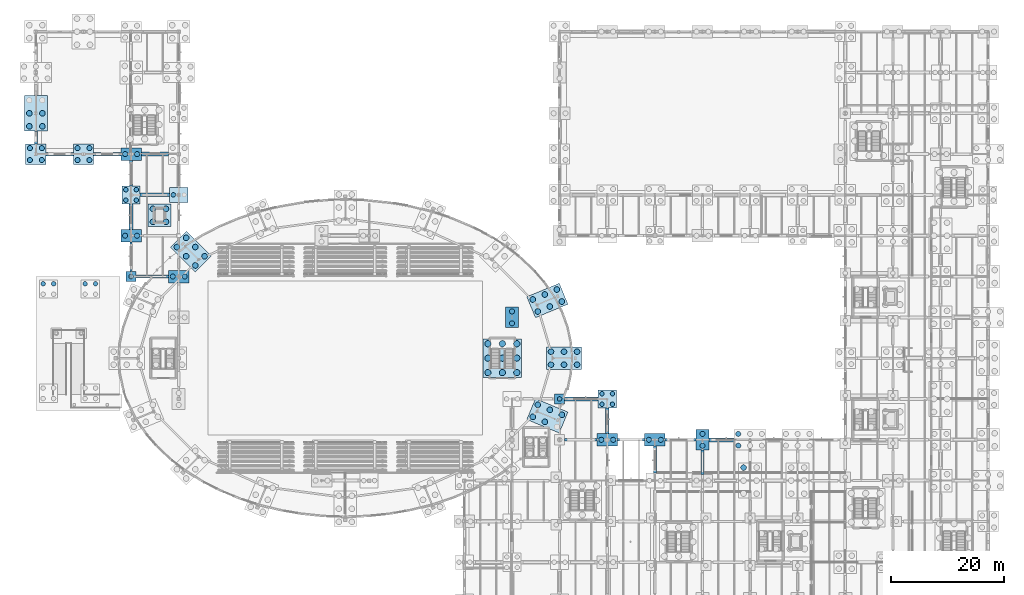
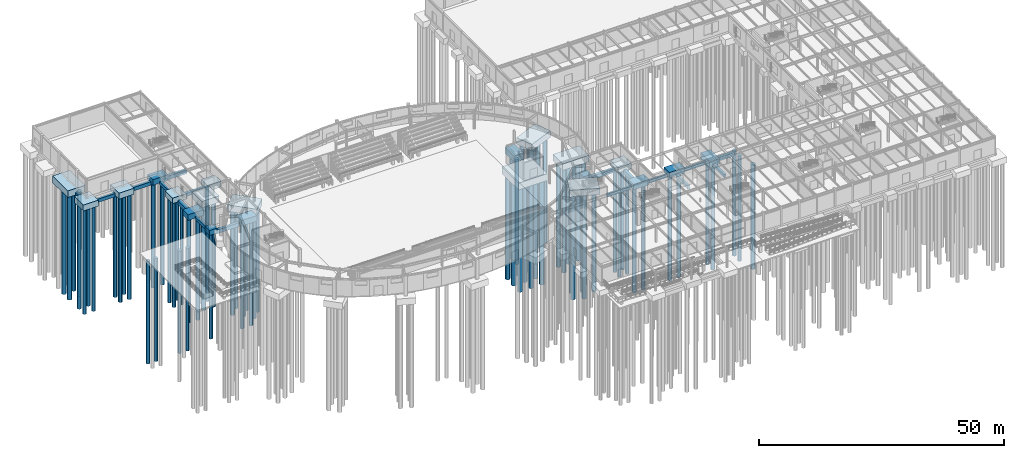
# One storey, part 3 of 93: 80 piles, 38 footings.
"""IFC4 building model written with IfcOpenShell, lengths in metres."""

from ifc_helpers import new_model, si_unit, derived_unit, direction, frame, origin, origin_2d, place, context, subcontext, project, spatial, rectangle, circle, extrude, material, material_profile, profile_set, type_object, element, save


model = new_model("IFC4")

# Units and contexts
model_context = context("Model", 3, precision=1e-05, world=origin(), true_north=direction((0.0, 1.0)))
body_context = subcontext(model_context, "Body", "Model", "MODEL_VIEW")
ifc_project = project(units=[si_unit("LENGTHUNIT", "METRE"), si_unit("AREAUNIT", "SQUARE_METRE"), si_unit("VOLUMEUNIT", "CUBIC_METRE"), si_unit("PLANEANGLEUNIT", "RADIAN"), si_unit("MASSUNIT", "GRAM", prefix="KILO"), derived_unit("THERMALTRANSMITTANCEUNIT", [(si_unit("MASSUNIT", "GRAM", prefix="KILO"), 1), (si_unit("TIMEUNIT", "SECOND"), -3), (si_unit("THERMODYNAMICTEMPERATUREUNIT", "KELVIN"), -1)])], contexts=[model_context])

# Site, building, storey
site_placement = place(None, origin())
site = spatial("IfcSite", under=ifc_project, at=site_placement, CompositionType="ELEMENT")
building_placement = place(site_placement, origin())
building = spatial("IfcBuilding", under=site, at=building_placement, Name="Kharveza Railside Sports Centre", CompositionType="ELEMENT")
storey_placement = place(building_placement, origin())
storey = spatial("IfcBuildingStorey", under=building, at=storey_placement, Name="L00", CompositionType="ELEMENT", Elevation=0.0)

# Footings
ifc_material = material(Name="Concrete C35/45", Category="concrete")
ifc_material_profile_1 = material_profile(ifc_material, rectangle(XDim=0.60009765625, YDim=0.800048828125, at=origin_2d()), Name="GB 600x800")
ifc_profile_set_1 = profile_set([ifc_material_profile_1], Name="Concrete C35/45")
footing_type_1 = type_object("IfcFootingType", Name="FT-GB01", PredefinedType="FOOTING_BEAM", material=ifc_profile_set_1)
footing_1_placement = place(storey_placement, frame((1.802978515625, 86.39990234375, -1.800048828125), z_axis=(1.0, 0.0, 0.0), x_axis=(0.0, 1.0, 0.0)))
element("IfcFooting", 1, at=footing_1_placement, inside=storey, type_object=footing_type_1, Name="GB-EW-001", PredefinedType="FOOTING_BEAM", context=body_context, shape_type="SweptSolid", body=[
    extrude(rectangle(XDim=0.60009765625, YDim=0.800048828125, at=origin_2d()), origin(), (0.0, 0.0, 1.0), 4.7939453125),
])
footing_2_placement = place(storey_placement, frame((18.403076171875, 79.199951171875, -1.800048828125), z_axis=(1.0, 0.0, 0.0), x_axis=(0.0, 1.0, 0.0)))
element("IfcFooting", 2, at=footing_2_placement, inside=storey, type_object=footing_type_1, Name="GB-EW-011", PredefinedType="FOOTING_BEAM", context=body_context, shape_type="SweptSolid", body=[
    extrude(rectangle(XDim=0.60009765625, YDim=0.800048828125, at=origin_2d()), origin(), (0.0, 0.0, 1.0), 5.19384765625),
])
ifc_material_profile_2 = material_profile(ifc_material, rectangle(XDim=0.5, YDim=0.75, at=origin_2d()), Name="GB 500x750")
ifc_profile_set_2 = profile_set([ifc_material_profile_2], Name="Concrete C35/45")
footing_type_2 = type_object("IfcFootingType", Name="FT-GB02", PredefinedType="FOOTING_BEAM", material=ifc_profile_set_2)
footing_3_placement = place(storey_placement, frame((0.0, 88.202880859375, -1.77490234375), z_axis=(0.0, 1.0, 0.0), x_axis=(-1.0, 0.0, 0.0)))
element("IfcFooting", 3, at=footing_3_placement, inside=storey, type_object=footing_type_2, Name="GB-NS-002", PredefinedType="FOOTING_BEAM", context=body_context, shape_type="SweptSolid", body=[
    extrude(rectangle(XDim=0.5, YDim=0.75, at=origin_2d()), origin(), (0.0, 0.0, 1.0), 2.294189453125),
])
footing_4_placement = place(storey_placement, frame((16.800048828125, 80.802978515625, -1.77490234375), z_axis=(0.0, 1.0, 0.0), x_axis=(-1.0, 0.0, 0.0)))
element("IfcFooting", 4, at=footing_4_placement, inside=storey, type_object=footing_type_2, Name="GB-NS-012", PredefinedType="FOOTING_BEAM", context=body_context, shape_type="SweptSolid", body=[
    extrude(rectangle(XDim=0.5, YDim=0.75, at=origin_2d()), origin(), (0.0, 0.0, 1.0), 4.494140625),
])
footing_5_placement = place(storey_placement, frame((93.302978515625, 36.0, -1.77490234375), z_axis=(1.0, 0.0, 0.0), x_axis=(0.0, 1.0, 0.0)))
element("IfcFooting", 5, at=footing_5_placement, inside=storey, type_object=footing_type_2, Name="GB-EW-042", PredefinedType="FOOTING_BEAM", context=body_context, shape_type="SweptSolid", body=[
    extrude(rectangle(XDim=0.5, YDim=0.75, at=origin_2d()), origin(), (0.0, 0.0, 1.0), 5.694091796875),
])
footing_6_placement = place(storey_placement, frame((117.60009765625, 29.903076171875, -1.77490234375), z_axis=(0.0, 1.0, 0.0), x_axis=(-1.0, 0.0, 0.0)))
element("IfcFooting", 6, at=footing_6_placement, inside=storey, type_object=footing_type_2, Name="GB-NS-072", PredefinedType="FOOTING_BEAM", context=body_context, shape_type="SweptSolid", body=[
    extrude(rectangle(XDim=0.5, YDim=0.75, at=origin_2d()), origin(), (0.0, 0.0, 1.0), 4.26904296875),
])
ifc_material_profile_3 = material_profile(ifc_material, rectangle(XDim=0.699951171875, YDim=0.89990234375, at=origin_2d()), Name="GB 700x900")
ifc_profile_set_3 = profile_set([ifc_material_profile_3], Name="Concrete C35/45")
footing_type_3 = type_object("IfcFootingType", Name="FT-GB03", PredefinedType="FOOTING_BEAM", material=ifc_profile_set_3)
footing_7_placement = place(storey_placement, frame((18.60302734375, 86.39990234375, -1.85009765625), z_axis=(1.0, 0.0, 0.0), x_axis=(0.0, 1.0, 0.0)))
element("IfcFooting", 7, at=footing_7_placement, inside=storey, type_object=footing_type_3, Name="GB-EW-013", PredefinedType="FOOTING_BEAM", context=body_context, shape_type="SweptSolid", body=[
    extrude(rectangle(XDim=0.699951171875, YDim=0.89990234375, at=origin_2d()), origin(), (0.0, 0.0, 1.0), 4.7939453125),
])
footing_8_placement = place(storey_placement, frame((93.302978515625, 43.199951171875, -1.85009765625), z_axis=(1.0, 0.0, 0.0), x_axis=(0.0, 1.0, 0.0)))
element("IfcFooting", 8, at=footing_8_placement, inside=storey, type_object=footing_type_3, Name="GB-EW-043", PredefinedType="FOOTING_BEAM", context=body_context, shape_type="SweptSolid", body=[
    extrude(rectangle(XDim=0.699951171875, YDim=0.89990234375, at=origin_2d()), origin(), (0.0, 0.0, 1.0), 5.89404296875),
])
footing_9_placement = place(storey_placement, frame((118.7529296875, 36.0, -1.85009765625), z_axis=(1.0, 0.0, 0.0), x_axis=(0.0, 1.0, 0.0)))
element("IfcFooting", 9, at=footing_9_placement, inside=storey, type_object=footing_type_3, Name="GB-EW-073", PredefinedType="FOOTING_BEAM", context=body_context, shape_type="SweptSolid", body=[
    extrude(rectangle(XDim=0.699951171875, YDim=0.89990234375, at=origin_2d()), origin(), (0.0, 0.0, 1.0), 4.444091796875),
])
ifc_material_profile_4 = material_profile(ifc_material, rectangle(XDim=0.550048828125, YDim=0.85009765625, at=origin_2d()), Name="GB 550x850")
ifc_profile_set_4 = profile_set([ifc_material_profile_4], Name="Concrete C35/45")
footing_type_4 = type_object("IfcFootingType", Name="FT-GB04", PredefinedType="FOOTING_BEAM", material=ifc_profile_set_4)
footing_10_placement = place(storey_placement, frame((109.199951171875, 30.10302734375, -1.824951171875), z_axis=(0.0, 1.0, 0.0), x_axis=(-1.0, 0.0, 0.0)))
element("IfcFooting", 10, at=footing_10_placement, inside=storey, type_object=footing_type_4, Name="GB-NS-064", PredefinedType="FOOTING_BEAM", context=body_context, shape_type="SweptSolid", body=[
    extrude(rectangle(XDim=0.550048828125, YDim=0.85009765625, at=origin_2d()), origin(), (0.0, 0.0, 1.0), 4.7939453125),
])
ifc_material_profile_5 = material_profile(ifc_material, rectangle(XDim=0.449951171875, YDim=0.699951171875, at=origin_2d()), Name="GB 450x700")
ifc_profile_set_5 = profile_set([ifc_material_profile_5], Name="Concrete C35/45")
footing_type_5 = type_object("IfcFootingType", Name="FT-GB05", PredefinedType="FOOTING_BEAM", material=ifc_profile_set_5)
footing_11_placement = place(storey_placement, frame((102.60302734375, 36.0, -1.75), z_axis=(1.0, 0.0, 0.0), x_axis=(0.0, 1.0, 0.0)))
element("IfcFooting", 11, at=footing_11_placement, inside=storey, type_object=footing_type_5, Name="GB-EW-055", PredefinedType="FOOTING_BEAM", context=body_context, shape_type="SweptSolid", body=[
    extrude(rectangle(XDim=0.449951171875, YDim=0.699951171875, at=origin_2d()), origin(), (0.0, 0.0, 1.0), 4.7939453125),
])
footing_12_placement = place(storey_placement, frame((111.0029296875, 36.0, -1.75), z_axis=(1.0, 0.0, 0.0), x_axis=(0.0, 1.0, 0.0)))
element("IfcFooting", 12, at=footing_12_placement, inside=storey, type_object=footing_type_5, Name="GB-EW-065", PredefinedType="FOOTING_BEAM", context=body_context, shape_type="SweptSolid", body=[
    extrude(rectangle(XDim=0.449951171875, YDim=0.699951171875, at=origin_2d()), origin(), (0.0, 0.0, 1.0), 5.444091796875),
])
ifc_material_profile_6 = material_profile(ifc_material, rectangle(XDim=0.64990234375, YDim=0.85009765625, at=origin_2d()), Name="GB 650x850")
ifc_profile_set_6 = profile_set([ifc_material_profile_6], Name="Concrete C35/45")
footing_type_6 = type_object("IfcFootingType", Name="FT-GB06", PredefinedType="FOOTING_BEAM", material=ifc_profile_set_6)
footing_13_placement = place(storey_placement, frame((10.202880859375, 86.39990234375, -1.824951171875), z_axis=(1.0, 0.0, 0.0), x_axis=(0.0, 1.0, 0.0)))
element("IfcFooting", 13, at=footing_13_placement, inside=storey, type_object=footing_type_6, Name="GB-EW-006", PredefinedType="FOOTING_BEAM", context=body_context, shape_type="SweptSolid", body=[
    extrude(rectangle(XDim=0.64990234375, YDim=0.85009765625, at=origin_2d()), origin(), (0.0, 0.0, 1.0), 4.794189453125),
])
footing_14_placement = place(storey_placement, frame((100.800048828125, 37.10302734375, -1.824951171875), z_axis=(0.0, 1.0, 0.0), x_axis=(-1.0, 0.0, 0.0)))
element("IfcFooting", 14, at=footing_14_placement, inside=storey, type_object=footing_type_6, Name="GB-NS-056", PredefinedType="FOOTING_BEAM", context=body_context, shape_type="SweptSolid", body=[
    extrude(rectangle(XDim=0.64990234375, YDim=0.85009765625, at=origin_2d()), origin(), (0.0, 0.0, 1.0), 4.493896484375),
])
ifc_material_profile_7 = material_profile(ifc_material, rectangle(XDim=0.60009765625, YDim=0.949951171875, at=origin_2d()), Name="GB 600x950")
ifc_profile_set_7 = profile_set([ifc_material_profile_7], Name="Concrete C35/45")
footing_type_7 = type_object("IfcFootingType", Name="FT-GB08", PredefinedType="FOOTING_BEAM", material=ifc_profile_set_7)
footing_15_placement = place(storey_placement, frame((17.702880859375, 64.800048828125, -1.875), z_axis=(1.0, 0.0, 0.0), x_axis=(0.0, 1.0, 0.0)))
element("IfcFooting", 15, at=footing_15_placement, inside=storey, type_object=footing_type_7, Name="GB-EW-008", PredefinedType="FOOTING_BEAM", context=body_context, shape_type="SweptSolid", body=[
    extrude(rectangle(XDim=0.60009765625, YDim=0.949951171875, at=origin_2d()), origin(), (0.0, 0.0, 1.0), 5.694091796875),
])
ifc_material_profile_8 = material_profile(ifc_material, rectangle(XDim=0.39990234375, YDim=0.64990234375, at=origin_2d()), Name="GB 400x650")
ifc_profile_set_8 = profile_set([ifc_material_profile_8], Name="Concrete C35/45")
footing_type_8 = type_object("IfcFootingType", Name="FT-GB09", PredefinedType="FOOTING_BEAM", material=ifc_profile_set_8)
footing_16_placement = place(storey_placement, frame((16.800048828125, 65.702880859375, -1.72509765625), z_axis=(0.0, 1.0, 0.0), x_axis=(-1.0, 0.0, 0.0)))
element("IfcFooting", 16, at=footing_16_placement, inside=storey, type_object=footing_type_8, Name="GB-NS-009", PredefinedType="FOOTING_BEAM", context=body_context, shape_type="SweptSolid", body=[
    extrude(rectangle(XDim=0.39990234375, YDim=0.64990234375, at=origin_2d()), origin(), (0.0, 0.0, 1.0), 5.194091796875),
])
ifc_material_profile_9 = material_profile(ifc_material, rectangle(XDim=0.75, YDim=1.0, at=origin_2d()), Name="GB 750x1000")
ifc_profile_set_9 = profile_set([ifc_material_profile_9], Name="Concrete C35/45")
footing_type_9 = type_object("IfcFootingType", Name="FT-GB10", PredefinedType="FOOTING_BEAM", material=ifc_profile_set_9)
footing_17_placement = place(storey_placement, frame((16.800048828125, 73.10302734375, -1.89990234375), z_axis=(0.0, 1.0, 0.0), x_axis=(-1.0, 0.0, 0.0)))
element("IfcFooting", 17, at=footing_17_placement, inside=storey, type_object=footing_type_9, Name="GB-NS-010", PredefinedType="FOOTING_BEAM", context=body_context, shape_type="SweptSolid", body=[
    extrude(rectangle(XDim=0.75, YDim=1.0, at=origin_2d()), origin(), (0.0, 0.0, 1.0), 4.493896484375),
])
footing_type_10 = type_object("IfcFootingType", Name="FT-PC01", PredefinedType="PILE_CAP", material=ifc_material)
footing_18_placement = place(storey_placement, frame((25.199951171875, 79.199951171875, -1.820068359375), z_axis=(0.0, 0.0, 1.0), x_axis=(1.0, 0.0, 0.0)))
element("IfcFooting", 18, at=footing_18_placement, inside=storey, type_object=footing_type_10, Name="FCAP-GRD-016", PredefinedType="PILE_CAP", context=body_context, shape_type="SweptSolid", body=[
    extrude(rectangle(XDim=3.199951171875, YDim=2.60009765625, at=origin_2d()), origin(), (0.0, 0.0, 1.0), 1.39990234375),
])
footing_type_11 = type_object("IfcFootingType", Name="FT-PC02", PredefinedType="PILE_CAP", material=ifc_material)
for number, where, z_axis, x_axis, name in (
    (19, (16.800048828125, 72.0, -1.820068359375), (0.0, 0.0, 1.0), (1.0, 0.0, 0.0), "FCAP-GRD-008"),
    (20, (16.800048828125, 86.39990234375, -1.820068359375), (0.0, 0.0, 1.0), (1.0, 0.0, 0.0), "FCAP-GRD-010"),
    (21, (25.199951171875, 64.800048828125, -1.820068359375), (0.0, 0.0, 1.0), (1.0, 0.0, 0.0), "FCAP-GRD-014"),
    (22, (100.800048828125, 36.0, -1.820068359375), (0.0, 0.0, 1.0), (1.0, 0.0, 0.0), "FCAP-GRD-050"),
    (23, (109.199951171875, 36.0, -1.820068359375), (0.0, 0.0, 1.0), (1.0, 0.0, 0.0), "FCAP-GRD-059"),
):
    element("IfcFooting", number, at=place(storey_placement, frame(where, z_axis=z_axis, x_axis=x_axis)), inside=storey, type_object=footing_type_11, Name=name, PredefinedType="PILE_CAP", context=body_context, shape_type="SweptSolid", body=[
        extrude(rectangle(XDim=3.60009765625, YDim=2.199951171875, at=origin_2d()), origin(), (0.0, 0.0, 1.0), 1.39990234375),
    ])
footing_type_12 = type_object("IfcFootingType", Name="FT-PC03", PredefinedType="PILE_CAP", material=ifc_material)
for number, where, z_axis, x_axis, name in (
    (24, (84.0, 57.60009765625, -1.8701171875), (0.0, 0.0, 1.0), (1.0, 0.0, 0.0), "FCAP-BOWL-08"),
    (25, (117.60009765625, 36.0, -1.8701171875), (0.0, 0.0, 1.0), (1.0, 0.0, 0.0), "FCAP-GRD-067"),
):
    element("IfcFooting", number, at=place(storey_placement, frame(where, z_axis=z_axis, x_axis=x_axis)), inside=storey, type_object=footing_type_12, Name=name, PredefinedType="PILE_CAP", context=body_context, shape_type="SweptSolid", body=[
        extrude(rectangle(XDim=2.300048828125, YDim=3.64990234375, at=origin_2d()), origin(), (0.0, 0.0, 1.0), 1.449951171875),
    ])
footing_type_13 = type_object("IfcFootingType", Name="FT-PC04", PredefinedType="PILE_CAP", material=ifc_material)
for number, where, z_axis, x_axis, name in (
    (26, (0.0, 86.39990234375, -1.919921875), (0.0, 0.0, 1.0), (1.0, 0.0, 0.0), "FCAP-GRD-001"),
    (27, (8.39990234375, 86.39990234375, -1.919921875), (0.0, 0.0, 1.0), (1.0, 0.0, 0.0), "FCAP-GRD-005"),
):
    element("IfcFooting", number, at=place(storey_placement, frame(where, z_axis=z_axis, x_axis=x_axis)), inside=storey, type_object=footing_type_13, Name=name, PredefinedType="PILE_CAP", context=body_context, shape_type="SweptSolid", body=[
        extrude(rectangle(XDim=3.60009765625, YDim=3.60009765625, at=origin_2d()), origin(), (0.0, 0.0, 1.0), 1.5),
    ])
footing_type_14 = type_object("IfcFootingType", Name="FT-PC05", PredefinedType="PILE_CAP", material=ifc_material)
footing_19_placement = place(storey_placement, frame((21.800048828125, 75.60009765625, -2.02001953125), z_axis=(0.0, 0.0, 1.0), x_axis=(1.0, 0.0, 0.0)))
element("IfcFooting", 28, at=footing_19_placement, inside=storey, type_object=footing_type_14, Name="FCAP-LF4", PredefinedType="PILE_CAP", context=body_context, shape_type="SweptSolid", body=[
    extrude(rectangle(XDim=4.0, YDim=4.0, at=origin_2d()), origin(), (0.0, 0.0, 1.0), 1.60009765625),
])
footing_type_15 = type_object("IfcFootingType", Name="FT-PC06", PredefinedType="PILE_CAP", material=ifc_material)
for number, where, z_axis, x_axis, name in (
    (29, (93.175048828125, 50.39990234375, -2.02001953125), (0.0, 0.0, 1.0), (1.0, 0.0, 0.0), "FCAP-DRUM-01"),
    (30, (90.23876953125, 60.56982421875, -2.02001953125), (0.0, 0.0, 1.0), (0.923879532511, 0.382683432365, 0.0), "FCAP-DRUM-02"),
    (31, (27.3232421875, 69.19140625, -2.02001953125), (0.0, 0.0, 1.0), (-0.707106781187, 0.707106781187, 0.0), "FCAP-DRUM-07"),
    (32, (90.23876953125, 40.230224609375, -2.02001953125), (0.0, 0.0, 1.0), (0.923879532511, -0.382683432365, 0.0), "FCAP-DRUM-16"),
):
    element("IfcFooting", number, at=place(storey_placement, frame(where, z_axis=z_axis, x_axis=x_axis)), inside=storey, type_object=footing_type_15, Name=name, PredefinedType="PILE_CAP", context=body_context, shape_type="SweptSolid", body=[
        extrude(rectangle(XDim=6.199951171875, YDim=4.0, at=origin_2d()), origin(), (0.0, 0.0, 1.0), 1.60009765625),
    ])
footing_type_16 = type_object("IfcFootingType", Name="FT-PC07", PredefinedType="PILE_CAP", material=ifc_material)
footing_20_placement = place(storey_placement, frame((0.0, 93.60009765625, -2.070068359375), z_axis=(0.0, 0.0, 1.0), x_axis=(1.0, 0.0, 0.0)))
element("IfcFooting", 33, at=footing_20_placement, inside=storey, type_object=footing_type_16, Name="FCAP-GRD-002", PredefinedType="PILE_CAP", context=body_context, shape_type="SweptSolid", body=[
    extrude(rectangle(XDim=4.050048828125, YDim=6.199951171875, at=origin_2d()), origin(), (0.0, 0.0, 1.0), 1.64990234375),
])
footing_type_17 = type_object("IfcFootingType", Name="FT-PC08", PredefinedType="PILE_CAP", material=ifc_material)
footing_21_placement = place(storey_placement, frame((82.300048828125, 50.39990234375, -2.1201171875), z_axis=(0.0, 0.0, 1.0), x_axis=(1.0, 0.0, 0.0)))
element("IfcFooting", 34, at=footing_21_placement, inside=storey, type_object=footing_type_17, Name="FCAP-CORE-08", PredefinedType="PILE_CAP", context=body_context, shape_type="SweptSolid", body=[
    extrude(rectangle(XDim=6.800048828125, YDim=6.800048828125, at=origin_2d()), origin(), (0.0, 0.0, 1.0), 1.699951171875),
])
footing_type_18 = type_object("IfcFootingType", Name="FT-PC10", PredefinedType="PILE_CAP", material=ifc_material)
for number, where, z_axis, x_axis, name in (
    (35, (16.800048828125, 79.199951171875, -1.77001953125), (0.0, 0.0, 1.0), (1.0, 0.0, 0.0), "FCAP-GRD-009"),
    (36, (100.800048828125, 43.199951171875, -1.77001953125), (0.0, 0.0, 1.0), (1.0, 0.0, 0.0), "FCAP-GRD-051"),
):
    element("IfcFooting", number, at=place(storey_placement, frame(where, z_axis=z_axis, x_axis=x_axis)), inside=storey, type_object=footing_type_18, Name=name, PredefinedType="PILE_CAP", context=body_context, shape_type="SweptSolid", body=[
        extrude(rectangle(XDim=3.199951171875, YDim=3.199951171875, at=origin_2d()), origin(), (0.0, 0.0, 1.0), 1.35009765625),
    ])
footing_type_19 = type_object("IfcFootingType", Name="FT-PC13", PredefinedType="PILE_CAP", material=ifc_material)
for number, where, z_axis, x_axis, name in (
    (37, (16.800048828125, 64.800048828125, -1.669921875), (0.0, 0.0, 1.0), (1.0, 0.0, 0.0), "FCAP-GRD-007"),
    (38, (92.39990234375, 43.199951171875, -1.669921875), (0.0, 0.0, 1.0), (1.0, 0.0, 0.0), "FCAP-GRD-038"),
):
    element("IfcFooting", number, at=place(storey_placement, frame(where, z_axis=z_axis, x_axis=x_axis)), inside=storey, type_object=footing_type_19, Name=name, PredefinedType="PILE_CAP", context=body_context, shape_type="SweptSolid", body=[
        extrude(rectangle(XDim=1.800048828125, YDim=1.800048828125, at=origin_2d()), origin(), (0.0, 0.0, 1.0), 1.25),
    ])

# Piles
ifc_material_profile_10 = material_profile(ifc_material, circle(Radius=0.5, at=origin_2d()), Name="PILE D1000")
ifc_profile_set_10 = profile_set([ifc_material_profile_10], Name="Concrete C35/45")
pile_type_1 = type_object("IfcPileType", Name="PL-B1000", PredefinedType="BORED", material=ifc_profile_set_10)
for number, where, z_axis, x_axis, name in (
    (39, (90.875, 49.25, -1.919921875), (0.0, 0.0, -1.0), (1.0, 0.0, 0.0), "FCAP-DRUM-01-P02-PL1"),
    (40, (93.175048828125, 49.25, -1.919921875), (0.0, 0.0, -1.0), (1.0, 0.0, 0.0), "FCAP-DRUM-01-P02-PL2"),
    (41, (95.47509765625, 49.25, -1.919921875), (0.0, 0.0, -1.0), (1.0, 0.0, 0.0), "FCAP-DRUM-01-P02-PL3"),
    (42, (90.875, 51.550048828125, -1.919921875), (0.0, 0.0, -1.0), (1.0, 0.0, 0.0), "FCAP-DRUM-01-P02-PL4"),
    (43, (93.175048828125, 51.550048828125, -1.919921875), (0.0, 0.0, -1.0), (1.0, 0.0, 0.0), "FCAP-DRUM-01-P02-PL5"),
    (44, (95.47509765625, 51.550048828125, -1.919921875), (0.0, 0.0, -1.0), (1.0, 0.0, 0.0), "FCAP-DRUM-01-P02-PL6"),
    (45, (88.553955078125, 58.627197265625, -1.919921875), (0.0, 0.0, -1.0), (1.0, 0.0, 0.0), "FCAP-DRUM-02-P02-PL1"),
    (46, (90.6787109375, 59.50732421875, -1.919921875), (0.0, 0.0, -1.0), (1.0, 0.0, 0.0), "FCAP-DRUM-02-P02-PL2"),
    (47, (92.8037109375, 60.387451171875, -1.919921875), (0.0, 0.0, -1.0), (1.0, 0.0, 0.0), "FCAP-DRUM-02-P02-PL3"),
    (48, (87.673583984375, 60.752197265625, -1.919921875), (0.0, 0.0, -1.0), (1.0, 0.0, 0.0), "FCAP-DRUM-02-P02-PL4"),
    (49, (89.798583984375, 61.63232421875, -1.919921875), (0.0, 0.0, -1.0), (1.0, 0.0, 0.0), "FCAP-DRUM-02-P02-PL5"),
    (50, (91.923583984375, 62.512451171875, -1.919921875), (0.0, 0.0, -1.0), (1.0, 0.0, 0.0), "FCAP-DRUM-02-P02-PL6"),
    (51, (29.7626953125, 68.378173828125, -1.919921875), (0.0, 0.0, -1.0), (1.0, 0.0, 0.0), "FCAP-DRUM-07-P02-PL1"),
    (52, (28.136474609375, 70.00439453125, -1.919921875), (0.0, 0.0, -1.0), (1.0, 0.0, 0.0), "FCAP-DRUM-07-P02-PL2"),
    (53, (26.510009765625, 71.630859375, -1.919921875), (0.0, 0.0, -1.0), (1.0, 0.0, 0.0), "FCAP-DRUM-07-P02-PL3"),
    (54, (28.136474609375, 66.751708984375, -1.919921875), (0.0, 0.0, -1.0), (1.0, 0.0, 0.0), "FCAP-DRUM-07-P02-PL4"),
    (55, (26.510009765625, 68.378173828125, -1.919921875), (0.0, 0.0, -1.0), (1.0, 0.0, 0.0), "FCAP-DRUM-07-P02-PL5"),
    (56, (24.8837890625, 70.00439453125, -1.919921875), (0.0, 0.0, -1.0), (1.0, 0.0, 0.0), "FCAP-DRUM-07-P02-PL6"),
    (57, (87.673583984375, 40.0478515625, -1.919921875), (0.0, 0.0, -1.0), (1.0, 0.0, 0.0), "FCAP-DRUM-16-P02-PL1"),
    (58, (89.798583984375, 39.167724609375, -1.919921875), (0.0, 0.0, -1.0), (1.0, 0.0, 0.0), "FCAP-DRUM-16-P02-PL2"),
    (59, (88.553955078125, 42.1728515625, -1.919921875), (0.0, 0.0, -1.0), (1.0, 0.0, 0.0), "FCAP-DRUM-16-P02-PL4"),
    (60, (90.6787109375, 41.292724609375, -1.919921875), (0.0, 0.0, -1.0), (1.0, 0.0, 0.0), "FCAP-DRUM-16-P02-PL5"),
    (61, (92.8037109375, 40.41259765625, -1.919921875), (0.0, 0.0, -1.0), (1.0, 0.0, 0.0), "FCAP-DRUM-16-P02-PL6"),
    (62, (20.64990234375, 74.449951171875, -1.919921875), (0.0, 0.0, -1.0), (1.0, 0.0, 0.0), "FCAP-LF4-P02-PL1"),
    (63, (22.949951171875, 74.449951171875, -1.919921875), (0.0, 0.0, -1.0), (1.0, 0.0, 0.0), "FCAP-LF4-P02-PL2"),
    (64, (20.64990234375, 76.75, -1.919921875), (0.0, 0.0, -1.0), (1.0, 0.0, 0.0), "FCAP-LF4-P02-PL3"),
    (65, (22.949951171875, 76.75, -1.919921875), (0.0, 0.0, -1.0), (1.0, 0.0, 0.0), "FCAP-LF4-P02-PL4"),
):
    element("IfcPile", number, at=place(storey_placement, frame(where, z_axis=z_axis, x_axis=x_axis)), inside=storey, type_object=pile_type_1, Name=name, PredefinedType="BORED", context=body_context, shape_type="SweptSolid", body=[
        extrude(circle(Radius=0.5, at=origin_2d()), origin(), (0.0, 0.0, 1.0), 26.080078125),
    ])
for number, where, z_axis, x_axis, name in (
    (66, (-1.14990234375, 91.300048828125, -1.969970703125), (0.0, 0.0, -1.0), (1.0, 0.0, 0.0), "FCAP-GRD-002-P02-PL1"),
    (67, (1.14990234375, 91.300048828125, -1.969970703125), (0.0, 0.0, -1.0), (1.0, 0.0, 0.0), "FCAP-GRD-002-P02-PL2"),
    (68, (-1.14990234375, 93.60009765625, -1.969970703125), (0.0, 0.0, -1.0), (1.0, 0.0, 0.0), "FCAP-GRD-002-P02-PL3"),
    (69, (1.14990234375, 93.60009765625, -1.969970703125), (0.0, 0.0, -1.0), (1.0, 0.0, 0.0), "FCAP-GRD-002-P02-PL4"),
    (70, (124.85009765625, 31.10009765625, -1.969970703125), (0.0, 0.0, -1.0), (1.0, 0.0, 0.0), "FCAP-GRD-074-P02-PL5"),
):
    element("IfcPile", number, at=place(storey_placement, frame(where, z_axis=z_axis, x_axis=x_axis)), inside=storey, type_object=pile_type_1, Name=name, PredefinedType="BORED", context=body_context, shape_type="SweptSolid", body=[
        extrude(circle(Radius=0.5, at=origin_2d()), origin(), (0.0, 0.0, 1.0), 26.030029296875),
    ])
ifc_material_profile_11 = material_profile(ifc_material, circle(Radius=0.550048828125, at=origin_2d()), Name="PILE D1100")
ifc_profile_set_11 = profile_set([ifc_material_profile_11], Name="Concrete C35/45")
pile_type_2 = type_object("IfcPileType", Name="PL-B1100", PredefinedType="BORED", material=ifc_profile_set_11)
for number, where, z_axis, x_axis, name in (
    (71, (79.75, 47.85009765625, -2.02001953125), (0.0, 0.0, -1.0), (1.0, 0.0, 0.0), "FCAP-CORE-08-P03-PL1"),
    (72, (82.300048828125, 47.85009765625, -2.02001953125), (0.0, 0.0, -1.0), (1.0, 0.0, 0.0), "FCAP-CORE-08-P03-PL2"),
    (73, (84.85009765625, 47.85009765625, -2.02001953125), (0.0, 0.0, -1.0), (1.0, 0.0, 0.0), "FCAP-CORE-08-P03-PL3"),
    (74, (79.75, 50.39990234375, -2.02001953125), (0.0, 0.0, -1.0), (1.0, 0.0, 0.0), "FCAP-CORE-08-P03-PL4"),
    (75, (82.300048828125, 50.39990234375, -2.02001953125), (0.0, 0.0, -1.0), (1.0, 0.0, 0.0), "FCAP-CORE-08-P03-PL5"),
    (76, (84.85009765625, 50.39990234375, -2.02001953125), (0.0, 0.0, -1.0), (1.0, 0.0, 0.0), "FCAP-CORE-08-P03-PL6"),
    (77, (79.75, 52.949951171875, -2.02001953125), (0.0, 0.0, -1.0), (1.0, 0.0, 0.0), "FCAP-CORE-08-P03-PL7"),
    (78, (82.300048828125, 52.949951171875, -2.02001953125), (0.0, 0.0, -1.0), (1.0, 0.0, 0.0), "FCAP-CORE-08-P03-PL8"),
    (79, (84.85009765625, 52.949951171875, -2.02001953125), (0.0, 0.0, -1.0), (1.0, 0.0, 0.0), "FCAP-CORE-08-P03-PL9"),
):
    element("IfcPile", number, at=place(storey_placement, frame(where, z_axis=z_axis, x_axis=x_axis)), inside=storey, type_object=pile_type_2, Name=name, PredefinedType="BORED", context=body_context, shape_type="SweptSolid", body=[
        extrude(circle(Radius=0.550048828125, at=origin_2d()), origin(), (0.0, 0.0, 1.0), 25.97998046875),
    ])
ifc_material_profile_12 = material_profile(ifc_material, circle(Radius=0.39990234375, at=origin_2d()), Name="PILE D800")
ifc_profile_set_12 = profile_set([ifc_material_profile_12], Name="Concrete C35/45")
pile_type_3 = type_object("IfcPileType", Name="PL-B800", PredefinedType="BORED", material=ifc_profile_set_12)
for number, where, z_axis, x_axis, name in (
    (80, (1.27490234375, 63.52490234375, -2.409912109375), (0.0, 0.0, -1.0), (1.0, 0.0, 0.0), "FCAP-APRW-2-P04-PL3"),
    (81, (3.125, 63.52490234375, -2.409912109375), (0.0, 0.0, -1.0), (1.0, 0.0, 0.0), "FCAP-APRW-2-P04-PL4"),
    (82, (8.675048828125, 63.52490234375, -2.409912109375), (0.0, 0.0, -1.0), (1.0, 0.0, 0.0), "FCAP-APRW-4-P04-PL3"),
    (83, (10.52490234375, 63.52490234375, -2.409912109375), (0.0, 0.0, -1.0), (1.0, 0.0, 0.0), "FCAP-APRW-4-P04-PL4"),
):
    element("IfcPile", number, at=place(storey_placement, frame(where, z_axis=z_axis, x_axis=x_axis)), inside=storey, type_object=pile_type_3, Name=name, PredefinedType="BORED", context=body_context, shape_type="SweptSolid", body=[
        extrude(circle(Radius=0.39990234375, at=origin_2d()), origin(), (0.0, 0.0, 1.0), 25.590087890625),
    ])
pile_1_placement = place(storey_placement, frame((16.800048828125, 64.800048828125, -1.570068359375), z_axis=(0.0, 0.0, -1.0), x_axis=(1.0, 0.0, 0.0)))
element("IfcPile", 84, at=pile_1_placement, inside=storey, type_object=pile_type_3, Name="FCAP-GRD-007-P04-PL1", PredefinedType="BORED", context=body_context, shape_type="SweptSolid", body=[
    extrude(circle(Radius=0.39990234375, at=origin_2d()), origin(), (0.0, 0.0, 1.0), 26.429931640625),
])
for number, where, z_axis, x_axis, name in (
    (85, (15.875, 78.27490234375, -1.669921875), (0.0, 0.0, -1.0), (1.0, 0.0, 0.0), "FCAP-GRD-009-P04-PL1"),
    (86, (17.72509765625, 78.27490234375, -1.669921875), (0.0, 0.0, -1.0), (1.0, 0.0, 0.0), "FCAP-GRD-009-P04-PL2"),
    (87, (15.875, 80.125, -1.669921875), (0.0, 0.0, -1.0), (1.0, 0.0, 0.0), "FCAP-GRD-009-P04-PL3"),
    (88, (17.72509765625, 80.125, -1.669921875), (0.0, 0.0, -1.0), (1.0, 0.0, 0.0), "FCAP-GRD-009-P04-PL4"),
):
    element("IfcPile", number, at=place(storey_placement, frame(where, z_axis=z_axis, x_axis=x_axis)), inside=storey, type_object=pile_type_3, Name=name, PredefinedType="BORED", context=body_context, shape_type="SweptSolid", body=[
        extrude(circle(Radius=0.39990234375, at=origin_2d()), origin(), (0.0, 0.0, 1.0), 26.330078125),
    ])
pile_2_placement = place(storey_placement, frame((24.25, 79.199951171875, -1.719970703125), z_axis=(0.0, 0.0, -1.0), x_axis=(1.0, 0.0, 0.0)))
element("IfcPile", 89, at=pile_2_placement, inside=storey, type_object=pile_type_3, Name="FCAP-GRD-016-P04-PL1", PredefinedType="BORED", context=body_context, shape_type="SweptSolid", body=[
    extrude(circle(Radius=0.39990234375, at=origin_2d()), origin(), (0.0, 0.0, 1.0), 26.280029296875),
])
pile_3_placement = place(storey_placement, frame((92.39990234375, 43.199951171875, -1.570068359375), z_axis=(0.0, 0.0, -1.0), x_axis=(1.0, 0.0, 0.0)))
element("IfcPile", 90, at=pile_3_placement, inside=storey, type_object=pile_type_3, Name="FCAP-GRD-038-P04-PL1", PredefinedType="BORED", context=body_context, shape_type="SweptSolid", body=[
    extrude(circle(Radius=0.39990234375, at=origin_2d()), origin(), (0.0, 0.0, 1.0), 26.429931640625),
])
for number, where, z_axis, x_axis, name in (
    (91, (99.875, 42.27490234375, -1.669921875), (0.0, 0.0, -1.0), (1.0, 0.0, 0.0), "FCAP-GRD-051-P04-PL1"),
    (92, (101.72509765625, 42.27490234375, -1.669921875), (0.0, 0.0, -1.0), (1.0, 0.0, 0.0), "FCAP-GRD-051-P04-PL2"),
    (93, (99.875, 44.125, -1.669921875), (0.0, 0.0, -1.0), (1.0, 0.0, 0.0), "FCAP-GRD-051-P04-PL3"),
    (94, (101.72509765625, 44.125, -1.669921875), (0.0, 0.0, -1.0), (1.0, 0.0, 0.0), "FCAP-GRD-051-P04-PL4"),
):
    element("IfcPile", number, at=place(storey_placement, frame(where, z_axis=z_axis, x_axis=x_axis)), inside=storey, type_object=pile_type_3, Name=name, PredefinedType="BORED", context=body_context, shape_type="SweptSolid", body=[
        extrude(circle(Radius=0.39990234375, at=origin_2d()), origin(), (0.0, 0.0, 1.0), 26.330078125),
    ])
ifc_material_profile_13 = material_profile(ifc_material, circle(Radius=0.449951171875, at=origin_2d()), Name="PILE D900")
ifc_profile_set_13 = profile_set([ifc_material_profile_13], Name="Concrete C35/45")
pile_type_4 = type_object("IfcPileType", Name="PL-B900", PredefinedType="BORED", material=ifc_profile_set_13)
for number, where, z_axis, x_axis, name in (
    (95, (84.0, 56.550048828125, -1.77001953125), (0.0, 0.0, -1.0), (1.0, 0.0, 0.0), "FCAP-BOWL-08-P01-PL1"),
    (96, (84.0, 58.64990234375, -1.77001953125), (0.0, 0.0, -1.0), (1.0, 0.0, 0.0), "FCAP-BOWL-08-P01-PL2"),
):
    element("IfcPile", number, at=place(storey_placement, frame(where, z_axis=z_axis, x_axis=x_axis)), inside=storey, type_object=pile_type_4, Name=name, PredefinedType="BORED", context=body_context, shape_type="SweptSolid", body=[
        extrude(circle(Radius=0.449951171875, at=origin_2d()), origin(), (0.0, 0.0, 1.0), 26.22998046875),
    ])
for number, where, z_axis, x_axis, name in (
    (97, (-1.050048828125, 85.35009765625, -1.820068359375), (0.0, 0.0, -1.0), (1.0, 0.0, 0.0), "FCAP-GRD-001-P01-PL1"),
    (98, (1.050048828125, 85.35009765625, -1.820068359375), (0.0, 0.0, -1.0), (1.0, 0.0, 0.0), "FCAP-GRD-001-P01-PL2"),
    (99, (-1.050048828125, 87.449951171875, -1.820068359375), (0.0, 0.0, -1.0), (1.0, 0.0, 0.0), "FCAP-GRD-001-P01-PL3"),
    (100, (1.050048828125, 87.449951171875, -1.820068359375), (0.0, 0.0, -1.0), (1.0, 0.0, 0.0), "FCAP-GRD-001-P01-PL4"),
    (101, (7.35009765625, 85.35009765625, -1.820068359375), (0.0, 0.0, -1.0), (1.0, 0.0, 0.0), "FCAP-GRD-005-P01-PL1"),
    (102, (9.449951171875, 85.35009765625, -1.820068359375), (0.0, 0.0, -1.0), (1.0, 0.0, 0.0), "FCAP-GRD-005-P01-PL2"),
    (103, (7.35009765625, 87.449951171875, -1.820068359375), (0.0, 0.0, -1.0), (1.0, 0.0, 0.0), "FCAP-GRD-005-P01-PL3"),
    (104, (9.449951171875, 87.449951171875, -1.820068359375), (0.0, 0.0, -1.0), (1.0, 0.0, 0.0), "FCAP-GRD-005-P01-PL4"),
):
    element("IfcPile", number, at=place(storey_placement, frame(where, z_axis=z_axis, x_axis=x_axis)), inside=storey, type_object=pile_type_4, Name=name, PredefinedType="BORED", context=body_context, shape_type="SweptSolid", body=[
        extrude(circle(Radius=0.449951171875, at=origin_2d()), origin(), (0.0, 0.0, 1.0), 26.179931640625),
    ])
for number, where, z_axis, x_axis, name in (
    (105, (15.75, 72.0, -1.719970703125), (0.0, 0.0, -1.0), (1.0, 0.0, 0.0), "FCAP-GRD-008-P01-PL1"),
    (106, (17.85009765625, 72.0, -1.719970703125), (0.0, 0.0, -1.0), (1.0, 0.0, 0.0), "FCAP-GRD-008-P01-PL2"),
    (107, (15.75, 86.39990234375, -1.719970703125), (0.0, 0.0, -1.0), (1.0, 0.0, 0.0), "FCAP-GRD-010-P01-PL1"),
    (108, (17.85009765625, 86.39990234375, -1.719970703125), (0.0, 0.0, -1.0), (1.0, 0.0, 0.0), "FCAP-GRD-010-P01-PL2"),
    (109, (24.14990234375, 64.800048828125, -1.719970703125), (0.0, 0.0, -1.0), (1.0, 0.0, 0.0), "FCAP-GRD-014-P01-PL1"),
    (110, (26.25, 64.800048828125, -1.719970703125), (0.0, 0.0, -1.0), (1.0, 0.0, 0.0), "FCAP-GRD-014-P01-PL2"),
    (111, (99.75, 36.0, -1.719970703125), (0.0, 0.0, -1.0), (1.0, 0.0, 0.0), "FCAP-GRD-050-P01-PL1"),
    (112, (101.85009765625, 36.0, -1.719970703125), (0.0, 0.0, -1.0), (1.0, 0.0, 0.0), "FCAP-GRD-050-P01-PL2"),
    (113, (108.14990234375, 36.0, -1.719970703125), (0.0, 0.0, -1.0), (1.0, 0.0, 0.0), "FCAP-GRD-059-P01-PL1"),
    (114, (110.25, 36.0, -1.719970703125), (0.0, 0.0, -1.0), (1.0, 0.0, 0.0), "FCAP-GRD-059-P01-PL2"),
):
    element("IfcPile", number, at=place(storey_placement, frame(where, z_axis=z_axis, x_axis=x_axis)), inside=storey, type_object=pile_type_4, Name=name, PredefinedType="BORED", context=body_context, shape_type="SweptSolid", body=[
        extrude(circle(Radius=0.449951171875, at=origin_2d()), origin(), (0.0, 0.0, 1.0), 26.280029296875),
    ])
for number, where, z_axis, x_axis, name in (
    (115, (117.60009765625, 34.949951171875, -1.77001953125), (0.0, 0.0, -1.0), (1.0, 0.0, 0.0), "FCAP-GRD-067-P01-PL1"),
    (116, (117.60009765625, 37.050048828125, -1.77001953125), (0.0, 0.0, -1.0), (1.0, 0.0, 0.0), "FCAP-GRD-067-P01-PL2"),
):
    element("IfcPile", number, at=place(storey_placement, frame(where, z_axis=z_axis, x_axis=x_axis)), inside=storey, type_object=pile_type_4, Name=name, PredefinedType="BORED", context=body_context, shape_type="SweptSolid", body=[
        extrude(circle(Radius=0.449951171875, at=origin_2d()), origin(), (0.0, 0.0, 1.0), 26.22998046875),
    ])
for number, where, z_axis, x_axis, name in (
    (117, (123.919921875, 34.9599609375, -1.820068359375), (0.0, 0.0, -1.0), (1.0, 0.0, 0.0), "FCAP-GRD-075-P01-PL1"),
    (118, (123.919921875, 37.0400390625, -1.820068359375), (0.0, 0.0, -1.0), (1.0, 0.0, 0.0), "FCAP-GRD-075-P01-PL4"),
):
    element("IfcPile", number, at=place(storey_placement, frame(where, z_axis=z_axis, x_axis=x_axis)), inside=storey, type_object=pile_type_4, Name=name, PredefinedType="BORED", context=body_context, shape_type="SweptSolid", body=[
        extrude(circle(Radius=0.449951171875, at=origin_2d()), origin(), (0.0, 0.0, 1.0), 26.179931640625),
    ])

save(model, "model.ifc")
